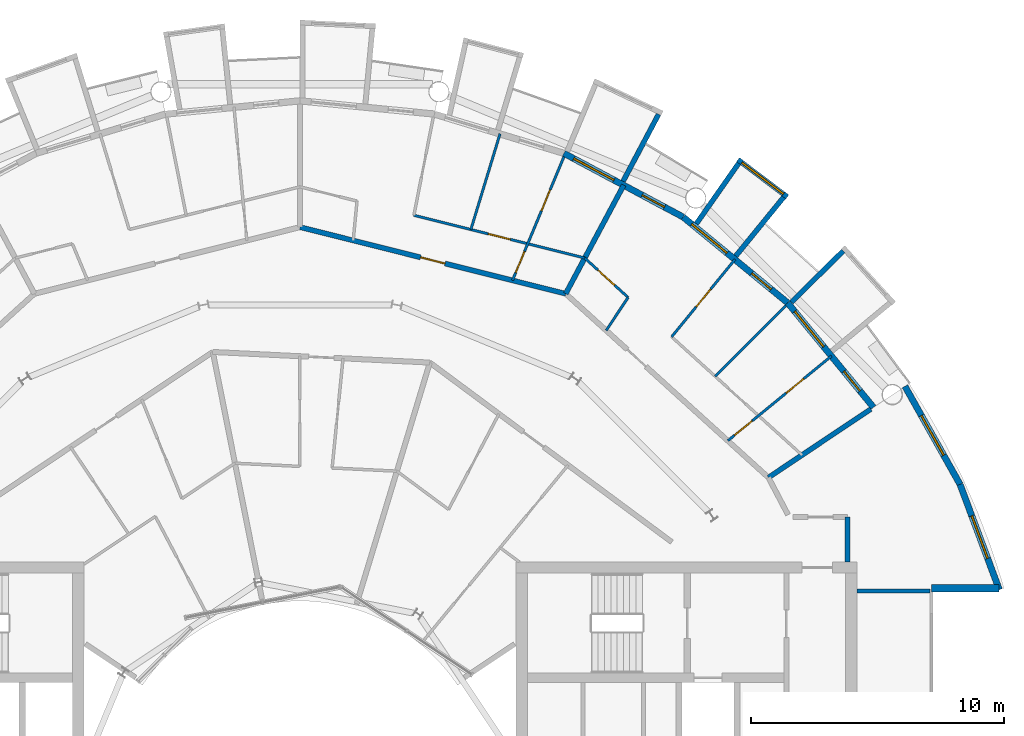
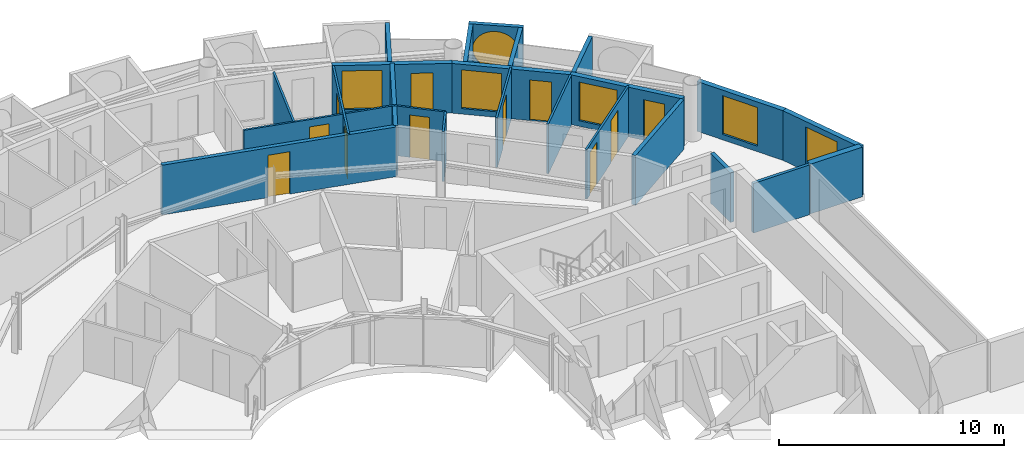
# One storey, part 24 of 29: 24 walls, 11 doors, 6 windows, 17 openings.
"""IFC4 building model written with IfcOpenShell, lengths in metres."""

import ifcopenshell
import ifcopenshell.guid

model = None  # the IFC model being written
_history = None  # IfcOwnerHistory: only IFC2X3 demands one
_inside = {}  # id of a spatial element -> (the spatial element, [elements in it])
_under = {}  # id of a project, library or spatial element -> (it, [spatial elements below it])
_declared = {}  # id of a project -> (the project, [libraries it declares])
_typed = {}  # id of a type object -> (the type object, [elements of that type])
_made_of = {}  # id of a material, layer set ... -> (it, [elements and type objects made of it])


def new_model(schema):
    """Start an empty IFC model of exactly this schema.

    Asked for "IFC4X3", IfcOpenShell would pick the latest addendum, in which some entities
    have other attributes; the version numbers below select the first issue.
    IFC2X3 requires an IfcOwnerHistory on every rooted entity: one is made here for all.
    """
    global model, _history
    if schema == "IFC4X3":
        model = ifcopenshell.file(schema_version=(4, 3, 0, 0))
    else:
        model = ifcopenshell.file(schema=schema)
    _inside.clear()
    _under.clear()
    _declared.clear()
    _typed.clear()
    _made_of.clear()
    _history = None
    if model.schema == "IFC2X3":
        org = make("IfcOrganization", Name="unknown")
        user = make(
            "IfcPersonAndOrganization",
            ThePerson=make("IfcPerson", FamilyName="unknown"),
            TheOrganization=org,
        )
        app = make(
            "IfcApplication",
            ApplicationDeveloper=org,
            Version="unknown",
            ApplicationFullName="unknown",
            ApplicationIdentifier="unknown",
        )
        _history = make(
            "IfcOwnerHistory",
            OwningUser=user,
            OwningApplication=app,
            ChangeAction="ADDED",
            CreationDate=0,
        )
    return model


def make(cls, **values):
    """One entity of the class cls with the attributes given. An attribute that is None is left unset."""
    return model.create_entity(
        cls, **{name: value for name, value in values.items() if value is not None}
    )


def rooted(cls, **values):
    """An entity with a GlobalId (a new one), such as an element, a storey or a relation."""
    return make(cls, GlobalId=ifcopenshell.guid.new(), OwnerHistory=_history, **values)


def si_unit(unit_type, name, prefix=None):
    """IfcSIUnit, for example si_unit("LENGTHUNIT", "METRE", prefix="MILLI")."""
    return make("IfcSIUnit", UnitType=unit_type, Prefix=prefix, Name=name)


def assignment(units):
    """IfcUnitAssignment: the units of a project."""
    return None if units is None else make("IfcUnitAssignment", Units=units)


def point(xyz):
    """IfcCartesianPoint."""
    return None if xyz is None else make("IfcCartesianPoint", Coordinates=xyz)


def direction(xyz):
    """IfcDirection."""
    return None if xyz is None else make("IfcDirection", DirectionRatios=xyz)


def frame(location, z_axis=None, x_axis=None):
    """IfcAxis2Placement3D, a coordinate frame: its origin and axes. An axis left out is left unset."""
    return make(
        "IfcAxis2Placement3D",
        Location=point(location),
        Axis=direction(z_axis),
        RefDirection=direction(x_axis),
    )


def frame_2d(location, x_axis=None):
    """IfcAxis2Placement2D, a coordinate frame in the plane: its origin and x axis."""
    return make(
        "IfcAxis2Placement2D", Location=point(location), RefDirection=direction(x_axis)
    )


def origin():
    """The frame at (0, 0, 0) with its axes left unset."""
    return frame((0.0, 0.0, 0.0))


def place(relative_to, where):
    """IfcLocalPlacement: puts the frame where relative to a parent placement (None: the world)."""
    return make(
        "IfcLocalPlacement", PlacementRelTo=relative_to, RelativePlacement=where
    )


def context(
    kind, dimensions, precision=None, world=None, true_north=None, identifier=None
):
    """IfcGeometricRepresentationContext, for example the 3D "Model" context."""
    return make(
        "IfcGeometricRepresentationContext",
        ContextIdentifier=identifier,
        ContextType=kind,
        CoordinateSpaceDimension=dimensions,
        Precision=precision,
        WorldCoordinateSystem=world,
        TrueNorth=true_north,
    )


def subcontext(parent, identifier, kind, view, scale=None):
    """IfcGeometricRepresentationSubContext, for example "Body" below "Model"."""
    return make(
        "IfcGeometricRepresentationSubContext",
        ContextIdentifier=identifier,
        ContextType=kind,
        ParentContext=parent,
        TargetScale=scale,
        TargetView=view,
    )


def project(units=None, contexts=None):
    """IfcProject with its units and contexts."""
    return rooted(
        "IfcProject",
        Name="project",
        RepresentationContexts=contexts,
        UnitsInContext=assignment(units),
    )


def spatial(cls, under=None, at=None, **own):
    """A site, building, storey or space (cls), placed at a placement, below another one or the project."""
    s = rooted(cls, ObjectPlacement=at, **own)
    if under is not None:
        _under.setdefault(under.id(), (under, []))[1].append(s)
    return s


def profile(cls, at=None, kind="AREA", **sizes):
    """A parametric profile (cls). Its sizes go by their IFC names, for example OverallWidth=200.0."""
    return make(cls, ProfileType=kind, Position=at, **sizes)


def rectangle(**sizes):
    """IfcRectangleProfileDef."""
    return profile("IfcRectangleProfileDef", **sizes)


def circle(**sizes):
    """IfcCircleProfileDef."""
    return profile("IfcCircleProfileDef", **sizes)


def extrude(swept, where, along, depth):
    """IfcExtrudedAreaSolid: the profile swept, set in the frame where, extruded along a direction by depth."""
    return make(
        "IfcExtrudedAreaSolid",
        SweptArea=swept,
        Position=where,
        ExtrudedDirection=direction(along),
        Depth=depth,
    )


def shape(context_of_items, identifier, shape_type, items):
    """IfcShapeRepresentation: the items that make up one representation, for example the "Body"."""
    return make(
        "IfcShapeRepresentation",
        ContextOfItems=context_of_items,
        RepresentationIdentifier=identifier,
        RepresentationType=shape_type,
        Items=items,
    )


def material(Name=None, Category=None):
    """IfcMaterial."""
    return make("IfcMaterial", Name=Name, Category=Category)


def layer(
    of_material, thickness, ventilated=None, Name=None, Category=None, Priority=None
):
    """IfcMaterialLayer: one layer of a wall or slab, of a material (None: an air gap)."""
    return make(
        "IfcMaterialLayer",
        Material=of_material,
        LayerThickness=thickness,
        IsVentilated=ventilated,
        Name=Name,
        Category=Category,
        Priority=Priority,
    )


def layer_set(layers, Name=None):
    """IfcMaterialLayerSet."""
    return make("IfcMaterialLayerSet", MaterialLayers=layers, LayerSetName=Name)


def made_of(thing, what):
    """Note that an element or type object is made of a material, layer set ...; save() writes the relation."""
    if what is not None:
        _made_of.setdefault(what.id(), (what, []))[1].append(thing)
    return thing


def type_object(cls, material=None, **own):
    """A type object (cls), such as IfcWallType, which elements share."""
    return made_of(rooted(cls, **own), material)


def element(
    cls,
    number,
    at=None,
    inside=None,
    cuts=None,
    type_object=None,
    material=None,
    context=None,
    identifier="Body",
    shape_type=None,
    held_by="IfcProductDefinitionShape",
    body=None,
    shapes=None,
    **own,
):
    """One element of the class cls, such as IfcWall. Its Tag is "e" and its number.

    at: its placement. inside: the storey or other place that contains it. cuts: it is an
    opening in that element (IfcRelVoidsElement). A single representation is given by context,
    identifier, shape_type and body (its items); several are given by shapes. held_by: the class
    of the entity that holds the representations. save() writes the other relations.
    """
    e = rooted(cls, Tag="e%d" % number, ObjectPlacement=at, **own)
    if body is not None:
        shapes = [shape(context, identifier, shape_type, body)]
    if shapes is not None:
        e.Representation = make(held_by, Representations=shapes)
    if inside is not None:
        _inside.setdefault(inside.id(), (inside, []))[1].append(e)
    if cuts is not None:
        rooted(
            "IfcRelVoidsElement", RelatingBuildingElement=cuts, RelatedOpeningElement=e
        )
    if type_object is not None:
        _typed.setdefault(type_object.id(), (type_object, []))[1].append(e)
    return made_of(e, material)


def fill(opening, filler):
    """IfcRelFillsElement: the door or window that sits in an opening."""
    return rooted(
        "IfcRelFillsElement",
        RelatingOpeningElement=opening,
        RelatedBuildingElement=filler,
    )


def aggregate(whole, parts):
    """IfcRelAggregates: a whole, such as a stair, and the parts it consists of."""
    return rooted("IfcRelAggregates", RelatingObject=whole, RelatedObjects=parts)


def save(model, path):
    """Write the relations noted so far, then the file.

    IfcRelAggregates (storeys below a building ...), IfcRelContainedInSpatialStructure (elements
    in a storey), IfcRelDefinesByType, IfcRelAssociatesMaterial and IfcRelDeclares: one each for
    every whole, place, type object, material and project.
    """
    for whole, parts in _under.values():
        aggregate(whole, parts)
    for where, things in _inside.values():
        rooted(
            "IfcRelContainedInSpatialStructure",
            RelatedElements=things,
            RelatingStructure=where,
        )
    for kind, things in _typed.values():
        rooted("IfcRelDefinesByType", RelatedObjects=things, RelatingType=kind)
    for what, things in _made_of.values():
        rooted("IfcRelAssociatesMaterial", RelatedObjects=things, RelatingMaterial=what)
    for by, libraries in _declared.values():
        rooted("IfcRelDeclares", RelatingContext=by, RelatedDefinitions=libraries)
    model.write(path)


model = new_model("IFC4")

# Units and contexts
model_context = context("Model", 3, precision=1e-05, world=origin(), true_north=direction((0.0, 1.0)))
body_context = subcontext(model_context, "Body", "Model", "MODEL_VIEW")
ifc_project = project(units=[si_unit("LENGTHUNIT", "METRE"), si_unit("AREAUNIT", "SQUARE_METRE"), si_unit("VOLUMEUNIT", "CUBIC_METRE"), si_unit("PLANEANGLEUNIT", "RADIAN"), si_unit("MASSUNIT", "GRAM", prefix="KILO")], contexts=[model_context])

# Site, building, storey
site_placement = place(None, origin())
site = spatial("IfcSite", under=ifc_project, at=site_placement, CompositionType="ELEMENT")
building_placement = place(site_placement, origin())
building = spatial("IfcBuilding", under=site, at=building_placement, Name="Maasbend Ring Residences", CompositionType="ELEMENT")
storey_placement = place(building_placement, frame((0.0, 0.0, 190.199951171875)))
storey = spatial("IfcBuildingStorey", under=building, at=storey_placement, Name="L54", CompositionType="ELEMENT", Elevation=190.199951171875)

# Wall
ifc_material_1 = material(Name="Concrete C30/37", Category="concrete")
ifc_layer_1 = layer(ifc_material_1, 0.199951171875)
ifc_layer_set_1 = layer_set([ifc_layer_1], Name="Concrete C30/37")
wall_type_1 = type_object("IfcWallType", Name="CORRIDOR WALL 200 CONCRETE", PredefinedType="PARTITIONING", material=ifc_layer_set_1)
wall_1_placement = place(storey_placement, frame((21.675048828125, 9.050048828125, 0.0), z_axis=(0.0, 0.0, 1.0), x_axis=(0.0, 1.0, 0.0)))
element("IfcWall", 1, at=wall_1_placement, inside=storey, type_object=wall_type_1, Name="U-L54-w012", PredefinedType="PARTITIONING", context=body_context, shape_type="SweptSolid", body=[
    extrude(rectangle(XDim=1.77490234375, YDim=0.199951171875, at=frame_2d((0.887451171875, 0.0))), origin(), (0.0, 0.0, 1.0), 2.699951171875),
])

# Wall, opening, door
wall_2_placement = place(storey_placement, frame((0.0, 22.300048828125, 0.0), z_axis=(0.0, 0.0, 1.0), x_axis=(0.969975443945, -0.243202874456, 0.0)))
wall_2 = element("IfcWall", 2, at=wall_2_placement, inside=storey, type_object=wall_type_1, Name="U-L54-w106", PredefinedType="PARTITIONING", context=body_context, shape_type="SweptSolid", body=[
    extrude(rectangle(XDim=10.8466796875, YDim=0.199951171875, at=frame_2d((5.42333984375, 0.0))), origin(), (0.0, 0.0, 1.0), 2.699951171875),
])
opening_1_placement = place(wall_2_placement, frame((4.91796875, 0.0, 0.0)))
opening_1 = element("IfcOpeningElement", 3, at=opening_1_placement, cuts=wall_2, Name="Opening D-5407", PredefinedType="OPENING", context=body_context, shape_type="SweptSolid", body=[
    extrude(rectangle(XDim=1.0, YDim=2.300048828125, at=frame_2d((0.5, 1.14990234375))), frame((0.0, 0.10986328125, 0.0), z_axis=(0.0, -1.0, 0.0), x_axis=(1.0, 0.0, 0.0)), (0.0, 0.0, 1.0), 0.219970703125),
])
ifc_material_2 = material(Name="Timber, fire-rated, painted", Category="wood")
door_type_1 = type_object("IfcDoorType", Name="FLAT ENTRANCE DOOR 1000 X 2300 FIRE-RATED", OperationType="NOTDEFINED", PredefinedType="DOOR", material=ifc_material_2)
door_1_placement = place(opening_1_placement, origin())
door_1 = element("IfcDoor", 4, at=door_1_placement, inside=storey, type_object=door_type_1, Name="D-5407", OperationType="SINGLE_SWING_LEFT", OverallHeight=2.300048828125, OverallWidth=1.0, PredefinedType="DOOR", context=body_context, shape_type="SweptSolid", body=[
    extrude(rectangle(XDim=1.0, YDim=2.300048828125, at=frame_2d((0.5, 1.14990234375))), frame((0.0, 0.02490234375, 0.0), z_axis=(0.0, -1.0, 0.0), x_axis=(1.0, 0.0, 0.0)), (0.0, 0.0, 1.0), 0.050048828125),
])
fill(opening_1, door_1)

# Wall
ifc_material_3 = material(Name="Pale anodised aluminium panel", Category="aluminium")
ifc_layer_2 = layer(ifc_material_3, 0.199951171875)
ifc_layer_set_2 = layer_set([ifc_layer_2], Name="EW-BOX")
wall_type_2 = type_object("IfcWallType", Name="EW-BOX", PredefinedType="SOLIDWALL", material=ifc_layer_set_2)
wall_3_placement = place(storey_placement, frame((19.449951171875, 19.322998046875, -0.030029296875), z_axis=(0.0, 0.0, 1.0), x_axis=(0.709727076896, 0.704476739375, 0.0)))
element("IfcWall", 5, at=wall_3_placement, inside=storey, type_object=wall_type_2, Name="Box side wall N02 right", PredefinedType="SOLIDWALL", context=body_context, shape_type="SweptSolid", body=[
    extrude(rectangle(XDim=2.883056640625, YDim=0.199951171875, at=frame_2d((1.44140625, 0.0))), origin(), (0.0, 0.0, 1.0), 2.72998046875),
])

# Wall, opening, window
wall_4_placement = place(storey_placement, frame((19.2890625, 23.4970703125, -0.030029296875), z_axis=(0.0, 0.0, 1.0), x_axis=(-0.797887588059, 0.602806268067, 0.0)))
wall_4 = element("IfcWall", 6, at=wall_4_placement, inside=storey, type_object=wall_type_2, Name="Box front N04", PredefinedType="SOLIDWALL", context=body_context, shape_type="SweptSolid", body=[
    extrude(rectangle(XDim=2.446533203125, YDim=0.199951171875, at=frame_2d((1.22314453125, 0.0))), origin(), (0.0, 0.0, 1.0), 2.72998046875),
])
opening_2_placement = place(wall_4_placement, frame((0.182861328125, 0.0, 0.330078125)))
opening_2 = element("IfcOpeningElement", 7, at=opening_2_placement, cuts=wall_4, Name="Opening W-RD", PredefinedType="OPENING", context=body_context, shape_type="SweptSolid", body=[
    extrude(circle(Radius=1.0400390625, at=frame_2d((1.0400390625, 1.0400390625))), frame((0.0, 0.10986328125, 0.0), z_axis=(0.0, -1.0, 0.0), x_axis=(1.0, 0.0, 0.0)), (0.0, 0.0, 1.0), 0.219970703125),
])
ifc_material_4 = material(Name="Aluminium and clear glass", Category="aluminium")
window_type_1 = type_object("IfcWindowType", Name="W-RD", PartitioningType="SINGLE_PANEL", PredefinedType="WINDOW", material=ifc_material_4)
window_1_placement = place(opening_2_placement, origin())
window_1 = element("IfcWindow", 8, at=window_1_placement, inside=storey, type_object=window_type_1, Name="Round window N04", OverallHeight=2.080078125, OverallWidth=2.080078125, PartitioningType="SINGLE_PANEL", PredefinedType="WINDOW", context=body_context, shape_type="SweptSolid", body=[
    extrude(circle(Radius=1.0400390625, at=frame_2d((1.0400390625, 1.0400390625))), frame((0.0, 0.030029296875, 0.0), z_axis=(0.0, -1.0, 0.0), x_axis=(1.0, 0.0, 0.0)), (0.0, 0.0, 1.0), 0.06005859375),
])
fill(opening_2, window_1)

# Walls
wall_5_placement = place(storey_placement, frame((17.24609375, 21.155029296875, -0.030029296875), z_axis=(0.0, 0.0, 1.0), x_axis=(0.631741648902, 0.775179004516, 0.0)))
element("IfcWall", 9, at=wall_5_placement, inside=storey, type_object=wall_type_2, Name="Box side wall N04 left", PredefinedType="SOLIDWALL", context=body_context, shape_type="SweptSolid", body=[
    extrude(rectangle(XDim=3.005859375, YDim=0.199951171875, at=frame_2d((1.5029296875, 0.0))), origin(), (0.0, 0.0, 1.0), 2.72998046875),
])
wall_6_placement = place(storey_placement, frame((15.68798828125, 22.43310546875, -0.030029296875), z_axis=(0.0, 0.0, 1.0), x_axis=(0.573260687834, 0.819373043115, 0.0)))
element("IfcWall", 10, at=wall_6_placement, inside=storey, type_object=wall_type_2, Name="Box side wall N04 right", PredefinedType="SOLIDWALL", context=body_context, shape_type="SweptSolid", body=[
    extrude(rectangle(XDim=2.92529296875, YDim=0.199951171875, at=frame_2d((1.462646484375, 0.0))), origin(), (0.0, 0.0, 1.0), 2.72998046875),
])
wall_7_placement = place(storey_placement, frame((12.787109375, 24.113037109375, -0.030029296875), z_axis=(0.0, 0.0, 1.0), x_axis=(0.468365282436, 0.883534924159, 0.0)))
element("IfcWall", 11, at=wall_7_placement, inside=storey, type_object=wall_type_2, Name="Box side wall N06 left", PredefinedType="SOLIDWALL", context=body_context, shape_type="SweptSolid", body=[
    extrude(rectangle(XDim=3.006103515625, YDim=0.199951171875, at=frame_2d((1.5029296875, 0.0))), origin(), (0.0, 0.0, 1.0), 2.72998046875),
])

# Wall, openings, door, window
ifc_material_5 = material(Name="Aluminium clad insulated panel", Category="aluminium")
ifc_layer_3 = layer(ifc_material_5, 0.25)
ifc_layer_set_3 = layer_set([ifc_layer_3], Name="EW-GL")
wall_type_3 = type_object("IfcWallType", Name="EW-GL", PredefinedType="SOLIDWALL", material=ifc_layer_set_3)
wall_8_placement = place(storey_placement, frame((22.698974609375, 15.1669921875, 0.0), z_axis=(0.0, 0.0, 1.0), x_axis=(-0.634382322723, 0.773019449054, 0.0)))
wall_8 = element("IfcWall", 12, at=wall_8_placement, inside=storey, type_object=wall_type_3, Name="External wall N01", PredefinedType="SOLIDWALL", context=body_context, shape_type="SweptSolid", body=[
    extrude(rectangle(XDim=5.351806640625, YDim=0.25, at=frame_2d((2.67578125, 0.0))), origin(), (0.0, 0.0, 1.0), 2.699951171875),
])
opening_3_placement = place(wall_8_placement, frame((0.841064453125, 0.0, 0.0)))
opening_3 = element("IfcOpeningElement", 13, at=opening_3_placement, cuts=wall_8, Name="Opening D-LG", PredefinedType="OPENING", context=body_context, shape_type="SweptSolid", body=[
    extrude(rectangle(XDim=1.0, YDim=2.199951171875, at=frame_2d((0.5, 1.10009765625))), frame((0.0, 0.135009765625, 0.0), z_axis=(0.0, -1.0, 0.0), x_axis=(1.0, 0.0, 0.0)), (0.0, 0.0, 1.0), 0.27001953125),
])
opening_4_placement = place(wall_8_placement, frame((3.110595703125, 0.0, 0.300048828125)))
opening_4 = element("IfcOpeningElement", 14, at=opening_4_placement, cuts=wall_8, Name="Opening W-BX", PredefinedType="OPENING", context=body_context, shape_type="SweptSolid", body=[
    extrude(rectangle(XDim=1.800048828125, YDim=2.10009765625, at=frame_2d((0.89990234375, 1.050048828125))), frame((0.0, 0.135009765625, 0.0), z_axis=(0.0, -1.0, 0.0), x_axis=(1.0, 0.0, 0.0)), (0.0, 0.0, 1.0), 0.27001953125),
])
ifc_material_6 = material(Name="Aluminium and clear glass", Category="aluminium")
door_type_2 = type_object("IfcDoorType", Name="D-LG", OperationType="SINGLE_SWING_LEFT", PredefinedType="DOOR", material=ifc_material_6)
door_2_placement = place(opening_3_placement, origin())
door_2 = element("IfcDoor", 15, at=door_2_placement, inside=storey, type_object=door_type_2, Name="Loggia door N01", OperationType="SINGLE_SWING_LEFT", OverallHeight=2.199951171875, OverallWidth=1.0, PredefinedType="DOOR", context=body_context, shape_type="SweptSolid", body=[
    extrude(rectangle(XDim=1.0, YDim=2.199951171875, at=frame_2d((0.5, 1.10009765625))), frame((0.0, 0.02490234375, 0.0), z_axis=(0.0, -1.0, 0.0), x_axis=(1.0, 0.0, 0.0)), (0.0, 0.0, 1.0), 0.050048828125),
])
fill(opening_3, door_2)
ifc_material_7 = material(Name="Aluminium and clear glass", Category="aluminium")
window_type_2 = type_object("IfcWindowType", Name="W-BX", PartitioningType="DOUBLE_PANEL_VERTICAL", PredefinedType="WINDOW", material=ifc_material_7)
window_2_placement = place(opening_4_placement, origin())
window_2 = element("IfcWindow", 16, at=window_2_placement, inside=storey, type_object=window_type_2, Name="Window N02 room to box", OverallHeight=2.10009765625, OverallWidth=1.800048828125, PartitioningType="SINGLE_PANEL", PredefinedType="WINDOW", context=body_context, shape_type="SweptSolid", body=[
    extrude(rectangle(XDim=1.800048828125, YDim=2.10009765625, at=frame_2d((0.89990234375, 1.050048828125))), frame((0.0, 0.030029296875, 0.0), z_axis=(0.0, -1.0, 0.0), x_axis=(1.0, 0.0, 0.0)), (0.0, 0.0, 1.0), 0.06005859375),
])
fill(opening_4, window_2)

wall_9_placement = place(storey_placement, frame((19.303955078125, 19.303955078125, 0.0), z_axis=(0.0, 0.0, 1.0), x_axis=(-0.773019449054, 0.634382322723, 0.0)))
wall_9 = element("IfcWall", 17, at=wall_9_placement, inside=storey, type_object=wall_type_3, Name="External wall N02", PredefinedType="SOLIDWALL", context=body_context, shape_type="SweptSolid", body=[
    extrude(rectangle(XDim=5.351806640625, YDim=0.25, at=frame_2d((2.67578125, 0.0))), origin(), (0.0, 0.0, 1.0), 2.699951171875),
])
opening_5_placement = place(wall_9_placement, frame((0.841064453125, 0.0, 0.0)))
opening_5 = element("IfcOpeningElement", 18, at=opening_5_placement, cuts=wall_9, Name="Opening D-LG", PredefinedType="OPENING", context=body_context, shape_type="SweptSolid", body=[
    extrude(rectangle(XDim=1.0, YDim=2.199951171875, at=frame_2d((0.5, 1.10009765625))), frame((0.0, 0.135009765625, 0.0), z_axis=(0.0, -1.0, 0.0), x_axis=(1.0, 0.0, 0.0)), (0.0, 0.0, 1.0), 0.27001953125),
])
opening_6_placement = place(wall_9_placement, frame((3.110595703125, 0.0, 0.300048828125)))
opening_6 = element("IfcOpeningElement", 19, at=opening_6_placement, cuts=wall_9, Name="Opening W-BX", PredefinedType="OPENING", context=body_context, shape_type="SweptSolid", body=[
    extrude(rectangle(XDim=1.800048828125, YDim=2.10009765625, at=frame_2d((0.89990234375, 1.050048828125))), frame((0.0, 0.135009765625, 0.0), z_axis=(0.0, -1.0, 0.0), x_axis=(1.0, 0.0, 0.0)), (0.0, 0.0, 1.0), 0.27001953125),
])
door_3_placement = place(opening_5_placement, origin())
door_3 = element("IfcDoor", 20, at=door_3_placement, inside=storey, type_object=door_type_2, Name="Loggia door N03", OperationType="SINGLE_SWING_LEFT", OverallHeight=2.199951171875, OverallWidth=1.0, PredefinedType="DOOR", context=body_context, shape_type="SweptSolid", body=[
    extrude(rectangle(XDim=1.0, YDim=2.199951171875, at=frame_2d((0.5, 1.10009765625))), frame((0.0, 0.02490234375, 0.0), z_axis=(0.0, -1.0, 0.0), x_axis=(1.0, 0.0, 0.0)), (0.0, 0.0, 1.0), 0.050048828125),
])
fill(opening_5, door_3)
window_3_placement = place(opening_6_placement, origin())
window_3 = element("IfcWindow", 21, at=window_3_placement, inside=storey, type_object=window_type_2, Name="Window N04 room to box", OverallHeight=2.10009765625, OverallWidth=1.800048828125, PartitioningType="SINGLE_PANEL", PredefinedType="WINDOW", context=body_context, shape_type="SweptSolid", body=[
    extrude(rectangle(XDim=1.800048828125, YDim=2.10009765625, at=frame_2d((0.89990234375, 1.050048828125))), frame((0.0, 0.030029296875, 0.0), z_axis=(0.0, -1.0, 0.0), x_axis=(1.0, 0.0, 0.0)), (0.0, 0.0, 1.0), 0.06005859375),
])
fill(opening_6, window_3)

wall_10_placement = place(storey_placement, frame((15.1669921875, 22.698974609375, 0.0), z_axis=(0.0, 0.0, 1.0), x_axis=(-0.881915646801, 0.471407246368, 0.0)))
wall_10 = element("IfcWall", 22, at=wall_10_placement, inside=storey, type_object=wall_type_3, Name="External wall N03", PredefinedType="SOLIDWALL", context=body_context, shape_type="SweptSolid", body=[
    extrude(rectangle(XDim=5.35205078125, YDim=0.25, at=frame_2d((2.676025390625, 0.0))), origin(), (0.0, 0.0, 1.0), 2.699951171875),
])
opening_7_placement = place(wall_10_placement, frame((0.841064453125, 0.0, 0.0)))
opening_7 = element("IfcOpeningElement", 23, at=opening_7_placement, cuts=wall_10, Name="Opening D-LG", PredefinedType="OPENING", context=body_context, shape_type="SweptSolid", body=[
    extrude(rectangle(XDim=1.0, YDim=2.199951171875, at=frame_2d((0.5, 1.10009765625))), frame((0.0, 0.135009765625, 0.0), z_axis=(0.0, -1.0, 0.0), x_axis=(1.0, 0.0, 0.0)), (0.0, 0.0, 1.0), 0.27001953125),
])
opening_8_placement = place(wall_10_placement, frame((3.110595703125, 0.0, 0.300048828125)))
opening_8 = element("IfcOpeningElement", 24, at=opening_8_placement, cuts=wall_10, Name="Opening W-BX", PredefinedType="OPENING", context=body_context, shape_type="SweptSolid", body=[
    extrude(rectangle(XDim=1.800048828125, YDim=2.10009765625, at=frame_2d((0.89990234375, 1.050048828125))), frame((0.0, 0.135009765625, 0.0), z_axis=(0.0, -1.0, 0.0), x_axis=(1.0, 0.0, 0.0)), (0.0, 0.0, 1.0), 0.27001953125),
])
door_4_placement = place(opening_7_placement, origin())
door_4 = element("IfcDoor", 25, at=door_4_placement, inside=storey, type_object=door_type_2, Name="Loggia door N05", OperationType="SINGLE_SWING_LEFT", OverallHeight=2.199951171875, OverallWidth=1.0, PredefinedType="DOOR", context=body_context, shape_type="SweptSolid", body=[
    extrude(rectangle(XDim=1.0, YDim=2.199951171875, at=frame_2d((0.5, 1.10009765625))), frame((0.0, 0.02490234375, 0.0), z_axis=(0.0, -1.0, 0.0), x_axis=(1.0, 0.0, 0.0)), (0.0, 0.0, 1.0), 0.050048828125),
])
fill(opening_7, door_4)
window_4_placement = place(opening_8_placement, origin())
window_4 = element("IfcWindow", 26, at=window_4_placement, inside=storey, type_object=window_type_2, Name="Window N06 room to box", OverallHeight=2.10009765625, OverallWidth=1.800048828125, PartitioningType="SINGLE_PANEL", PredefinedType="WINDOW", context=body_context, shape_type="SweptSolid", body=[
    extrude(rectangle(XDim=1.800048828125, YDim=2.10009765625, at=frame_2d((0.89990234375, 1.050048828125))), frame((0.0, 0.030029296875, 0.0), z_axis=(0.0, -1.0, 0.0), x_axis=(1.0, 0.0, 0.0)), (0.0, 0.0, 1.0), 0.06005859375),
])
fill(opening_8, window_4)

# Wall, opening, window
ifc_material_8 = material(Name="Aluminium clad insulated panel", Category="aluminium")
ifc_layer_4 = layer(ifc_material_8, 0.25)
ifc_layer_set_4 = layer_set([ifc_layer_4], Name="EW-HORN")
wall_type_4 = type_object("IfcWallType", Name="EW-HORN", PredefinedType="SOLIDWALL", material=ifc_layer_set_4)
wall_11_placement = place(storey_placement, frame((27.681884765625, 7.945068359375, 0.0), z_axis=(0.0, 0.0, 1.0), x_axis=(-0.349247811493, 0.937030397675, 0.0)))
wall_11 = element("IfcWall", 27, at=wall_11_placement, inside=storey, type_object=wall_type_4, Name="Horn wall 1.1", PredefinedType="SOLIDWALL", context=body_context, shape_type="SweptSolid", body=[
    extrude(rectangle(XDim=4.4521484375, YDim=0.25, at=frame_2d((2.22607421875, 0.0))), origin(), (0.0, 0.0, 1.0), 2.699951171875),
])
opening_9_placement = place(wall_11_placement, frame((1.32666015625, 0.0, 0.300048828125)))
opening_9 = element("IfcOpeningElement", 28, at=opening_9_placement, cuts=wall_11, Name="Opening W-BX", PredefinedType="OPENING", context=body_context, shape_type="SweptSolid", body=[
    extrude(rectangle(XDim=1.800048828125, YDim=2.10009765625, at=frame_2d((0.89990234375, 1.050048828125))), frame((0.0, 0.135009765625, 0.0), z_axis=(0.0, -1.0, 0.0), x_axis=(1.0, 0.0, 0.0)), (0.0, 0.0, 1.0), 0.27001953125),
])
window_5_placement = place(opening_9_placement, origin())
window_5 = element("IfcWindow", 29, at=window_5_placement, inside=storey, type_object=window_type_2, Name="Horn window 1.1", OverallHeight=2.10009765625, OverallWidth=1.800048828125, PartitioningType="SINGLE_PANEL", PredefinedType="WINDOW", context=body_context, shape_type="SweptSolid", body=[
    extrude(rectangle(XDim=1.800048828125, YDim=2.10009765625, at=frame_2d((0.89990234375, 1.050048828125))), frame((0.0, 0.030029296875, 0.0), z_axis=(0.0, -1.0, 0.0), x_axis=(1.0, 0.0, 0.0)), (0.0, 0.0, 1.0), 0.06005859375),
])
fill(opening_9, window_5)

wall_12_placement = place(storey_placement, frame((26.126953125, 12.116943359375, 0.0), z_axis=(0.0, 0.0, 1.0), x_axis=(-0.489696356642, 0.871893042919, 0.0)))
wall_12 = element("IfcWall", 30, at=wall_12_placement, inside=storey, type_object=wall_type_4, Name="Horn wall 1.2", PredefinedType="SOLIDWALL", context=body_context, shape_type="SweptSolid", body=[
    extrude(rectangle(XDim=4.45361328125, YDim=0.25, at=frame_2d((2.226806640625, 0.0))), origin(), (0.0, 0.0, 1.0), 2.699951171875),
])
opening_10_placement = place(wall_12_placement, frame((1.32666015625, 0.0, 0.300048828125)))
opening_10 = element("IfcOpeningElement", 31, at=opening_10_placement, cuts=wall_12, Name="Opening W-BX", PredefinedType="OPENING", context=body_context, shape_type="SweptSolid", body=[
    extrude(rectangle(XDim=1.800048828125, YDim=2.10009765625, at=frame_2d((0.89990234375, 1.050048828125))), frame((0.0, 0.135009765625, 0.0), z_axis=(0.0, -1.0, 0.0), x_axis=(1.0, 0.0, 0.0)), (0.0, 0.0, 1.0), 0.27001953125),
])
window_6_placement = place(opening_10_placement, origin())
window_6 = element("IfcWindow", 32, at=window_6_placement, inside=storey, type_object=window_type_2, Name="Horn window 1.2", OverallHeight=2.10009765625, OverallWidth=1.800048828125, PartitioningType="SINGLE_PANEL", PredefinedType="WINDOW", context=body_context, shape_type="SweptSolid", body=[
    extrude(rectangle(XDim=1.800048828125, YDim=2.10009765625, at=frame_2d((0.89990234375, 1.050048828125))), frame((0.0, 0.030029296875, 0.0), z_axis=(0.0, -1.0, 0.0), x_axis=(1.0, 0.0, 0.0)), (0.0, 0.0, 1.0), 0.06005859375),
])
fill(opening_10, window_6)

# Wall
ifc_material_9 = material(Name="Aluminium clad insulated panel", Category="aluminium")
ifc_layer_5 = layer(ifc_material_9, 0.300048828125)
ifc_layer_set_5 = layer_set([ifc_layer_5], Name="EW-RET")
wall_type_5 = type_object("IfcWallType", Name="EW-RET", PredefinedType="SOLIDWALL", material=ifc_layer_set_5)
wall_13_placement = place(storey_placement, frame((25.0, 8.0, 0.0), z_axis=(0.0, 0.0, 1.0), x_axis=(1.0, 0.0, 0.0)))
element("IfcWall", 33, at=wall_13_placement, inside=storey, type_object=wall_type_5, Name="Notch return wall east north", PredefinedType="SOLIDWALL", context=body_context, shape_type="SweptSolid", body=[
    extrude(rectangle(XDim=2.6669921875, YDim=0.300048828125, at=frame_2d((1.33349609375, 0.0))), origin(), (0.0, 0.0, 1.0), 2.699951171875),
])

# Wall, openings, doors
ifc_material_10 = material(Name="Gypsum board on steel studs", Category="steel")
ifc_layer_6 = layer(ifc_material_10, 0.10009765625)
ifc_layer_set_6 = layer_set([ifc_layer_6], Name="PARTITION 100 GYPSUM")
wall_type_6 = type_object("IfcWallType", Name="PARTITION 100 GYPSUM", PredefinedType="PARTITIONING", material=ifc_layer_set_6)
wall_14_placement = place(storey_placement, frame((8.409912109375, 20.193115234375, 0.0), z_axis=(0.0, 0.0, 1.0), x_axis=(0.38420646001, 0.923247202046, 0.0)))
wall_14 = element("IfcWall", 34, at=wall_14_placement, inside=storey, type_object=wall_type_6, Name="U-L54-w031", PredefinedType="PARTITIONING", context=body_context, shape_type="SweptSolid", body=[
    extrude(rectangle(XDim=5.299560546875, YDim=0.10009765625, at=frame_2d((2.64990234375, 0.0))), origin(), (0.0, 0.0, 1.0), 2.699951171875),
])
opening_11_placement = place(wall_14_placement, frame((0.3349609375, 0.0, 0.0)))
opening_11 = element("IfcOpeningElement", 35, at=opening_11_placement, cuts=wall_14, Name="Opening D-5409", PredefinedType="OPENING", context=body_context, shape_type="SweptSolid", body=[
    extrude(rectangle(XDim=0.89990234375, YDim=2.300048828125, at=frame_2d((0.449951171875, 1.14990234375))), frame((0.0, 0.06005859375, 0.0), z_axis=(0.0, -1.0, 0.0), x_axis=(1.0, 0.0, 0.0)), (0.0, 0.0, 1.0), 0.1201171875),
])
opening_12_placement = place(wall_14_placement, frame((2.985107421875, 0.0, 0.0)))
opening_12 = element("IfcOpeningElement", 36, at=opening_12_placement, cuts=wall_14, Name="Opening D-5412", PredefinedType="OPENING", context=body_context, shape_type="SweptSolid", body=[
    extrude(rectangle(XDim=0.89990234375, YDim=2.300048828125, at=frame_2d((0.449951171875, 1.14990234375))), frame((0.0, 0.06005859375, 0.0), z_axis=(0.0, -1.0, 0.0), x_axis=(1.0, 0.0, 0.0)), (0.0, 0.0, 1.0), 0.1201171875),
])
ifc_material_11 = material(Name="Timber, painted", Category="wood")
door_type_3 = type_object("IfcDoorType", Name="INTERNAL DOOR 900 X 2300", OperationType="NOTDEFINED", PredefinedType="DOOR", material=ifc_material_11)
door_5_placement = place(opening_11_placement, origin())
door_5 = element("IfcDoor", 37, at=door_5_placement, inside=storey, type_object=door_type_3, Name="D-5409", OperationType="SINGLE_SWING_LEFT", OverallHeight=2.300048828125, OverallWidth=0.89990234375, PredefinedType="DOOR", context=body_context, shape_type="SweptSolid", body=[
    extrude(rectangle(XDim=0.89990234375, YDim=2.300048828125, at=frame_2d((0.449951171875, 1.14990234375))), frame((0.0, 0.02490234375, 0.0), z_axis=(0.0, -1.0, 0.0), x_axis=(1.0, 0.0, 0.0)), (0.0, 0.0, 1.0), 0.050048828125),
])
fill(opening_11, door_5)
door_6_placement = place(opening_12_placement, origin())
door_6 = element("IfcDoor", 38, at=door_6_placement, inside=storey, type_object=door_type_3, Name="D-5412", OperationType="SINGLE_SWING_RIGHT", OverallHeight=2.300048828125, OverallWidth=0.89990234375, PredefinedType="DOOR", context=body_context, shape_type="SweptSolid", body=[
    extrude(rectangle(XDim=0.89990234375, YDim=2.300048828125, at=frame_2d((0.449951171875, 1.14990234375))), frame((0.0, 0.02490234375, 0.0), z_axis=(0.0, -1.0, 0.0), x_axis=(1.0, 0.0, 0.0)), (0.0, 0.0, 1.0), 0.050048828125),
])
fill(opening_12, door_6)

# Walls
wall_15_placement = place(storey_placement, frame((6.762939453125, 22.2060546875, 0.0), z_axis=(0.0, 0.0, 1.0), x_axis=(0.291291575636, 0.956634317785, 0.0)))
element("IfcWall", 39, at=wall_15_placement, inside=storey, type_object=wall_type_6, Name="U-L54-w077", PredefinedType="PARTITIONING", context=body_context, shape_type="SweptSolid", body=[
    extrude(rectangle(XDim=3.9619140625, YDim=0.10009765625, at=frame_2d((1.98095703125, 0.0))), origin(), (0.0, 0.0, 1.0), 2.699951171875),
])
wall_16_placement = place(storey_placement, frame((12.117919921875, 18.2109375, 0.0), z_axis=(0.0, 0.0, 1.0), x_axis=(0.554125989098, 0.832432813028, 0.0)))
element("IfcWall", 40, at=wall_16_placement, inside=storey, type_object=wall_type_6, Name="U-L54-w082", PredefinedType="PARTITIONING", context=body_context, shape_type="SweptSolid", body=[
    extrude(rectangle(XDim=1.5703125, YDim=0.10009765625, at=frame_2d((0.78515625, 0.0))), origin(), (0.0, 0.0, 1.0), 2.699951171875),
])

# Wall, opening, door
wall_17_placement = place(storey_placement, frame((14.708984375, 17.9580078125, 0.0), z_axis=(0.0, 0.0, 1.0), x_axis=(0.633590098448, 0.773668913133, 0.0)))
wall_17 = element("IfcWall", 41, at=wall_17_placement, inside=storey, type_object=wall_type_6, Name="U-L54-w084", PredefinedType="PARTITIONING", context=body_context, shape_type="SweptSolid", body=[
    extrude(rectangle(XDim=3.961669921875, YDim=0.10009765625, at=frame_2d((1.98095703125, 0.0))), origin(), (0.0, 0.0, 1.0), 2.699951171875),
])
opening_13_placement = place(wall_17_placement, frame((1.531005859375, 0.0, 0.0)))
opening_13 = element("IfcOpeningElement", 42, at=opening_13_placement, cuts=wall_17, Name="Opening D-5404", PredefinedType="OPENING", context=body_context, shape_type="SweptSolid", body=[
    extrude(rectangle(XDim=0.89990234375, YDim=2.300048828125, at=frame_2d((0.449951171875, 1.14990234375))), frame((0.0, 0.06005859375, 0.0), z_axis=(0.0, -1.0, 0.0), x_axis=(1.0, 0.0, 0.0)), (0.0, 0.0, 1.0), 0.1201171875),
])
door_7_placement = place(opening_13_placement, origin())
door_7 = element("IfcDoor", 43, at=door_7_placement, inside=storey, type_object=door_type_3, Name="D-5404", OperationType="SINGLE_SWING_RIGHT", OverallHeight=2.300048828125, OverallWidth=0.89990234375, PredefinedType="DOOR", context=body_context, shape_type="SweptSolid", body=[
    extrude(rectangle(XDim=0.89990234375, YDim=2.300048828125, at=frame_2d((0.449951171875, 1.14990234375))), frame((0.0, 0.02490234375, 0.0), z_axis=(0.0, -1.0, 0.0), x_axis=(1.0, 0.0, 0.0)), (0.0, 0.0, 1.0), 0.050048828125),
])
fill(opening_13, door_7)

# Wall
wall_18_placement = place(storey_placement, frame((16.429931640625, 16.39794921875, 0.0), z_axis=(0.0, 0.0, 1.0), x_axis=(0.707722727509, 0.706490297858, 0.0)))
element("IfcWall", 44, at=wall_18_placement, inside=storey, type_object=wall_type_6, Name="U-L54-w086", PredefinedType="PARTITIONING", context=body_context, shape_type="SweptSolid", body=[
    extrude(rectangle(XDim=3.9619140625, YDim=0.10009765625, at=frame_2d((1.98095703125, 0.0))), origin(), (0.0, 0.0, 1.0), 2.699951171875),
])

# Wall, openings, doors
wall_19_placement = place(storey_placement, frame((16.93603515625, 13.844970703125, 0.0), z_axis=(0.0, 0.0, 1.0), x_axis=(0.774310172558, 0.632806255241, 0.0)))
wall_19 = element("IfcWall", 45, at=wall_19_placement, inside=storey, type_object=wall_type_6, Name="U-L54-w088", PredefinedType="PARTITIONING", context=body_context, shape_type="SweptSolid", body=[
    extrude(rectangle(XDim=5.30029296875, YDim=0.10009765625, at=frame_2d((2.650146484375, 0.0))), origin(), (0.0, 0.0, 1.0), 2.699951171875),
])
opening_14_placement = place(wall_19_placement, frame((0.3349609375, 0.0, 0.0)))
opening_14 = element("IfcOpeningElement", 46, at=opening_14_placement, cuts=wall_19, Name="Opening D-5403", PredefinedType="OPENING", context=body_context, shape_type="SweptSolid", body=[
    extrude(rectangle(XDim=0.89990234375, YDim=2.300048828125, at=frame_2d((0.449951171875, 1.14990234375))), frame((0.0, 0.06005859375, 0.0), z_axis=(0.0, -1.0, 0.0), x_axis=(1.0, 0.0, 0.0)), (0.0, 0.0, 1.0), 0.1201171875),
])
opening_15_placement = place(wall_19_placement, frame((2.985107421875, 0.0, 0.0)))
opening_15 = element("IfcOpeningElement", 47, at=opening_15_placement, cuts=wall_19, Name="Opening D-5406", PredefinedType="OPENING", context=body_context, shape_type="SweptSolid", body=[
    extrude(rectangle(XDim=0.89990234375, YDim=2.300048828125, at=frame_2d((0.449951171875, 1.14990234375))), frame((0.0, 0.06005859375, 0.0), z_axis=(0.0, -1.0, 0.0), x_axis=(1.0, 0.0, 0.0)), (0.0, 0.0, 1.0), 0.1201171875),
])
door_8_placement = place(opening_14_placement, origin())
door_8 = element("IfcDoor", 48, at=door_8_placement, inside=storey, type_object=door_type_3, Name="D-5403", OperationType="SINGLE_SWING_LEFT", OverallHeight=2.300048828125, OverallWidth=0.89990234375, PredefinedType="DOOR", context=body_context, shape_type="SweptSolid", body=[
    extrude(rectangle(XDim=0.89990234375, YDim=2.300048828125, at=frame_2d((0.449951171875, 1.14990234375))), frame((0.0, 0.02490234375, 0.0), z_axis=(0.0, -1.0, 0.0), x_axis=(1.0, 0.0, 0.0)), (0.0, 0.0, 1.0), 0.050048828125),
])
fill(opening_14, door_8)
door_9_placement = place(opening_15_placement, origin())
door_9 = element("IfcDoor", 49, at=door_9_placement, inside=storey, type_object=door_type_3, Name="D-5406", OperationType="SINGLE_SWING_RIGHT", OverallHeight=2.300048828125, OverallWidth=0.89990234375, PredefinedType="DOOR", context=body_context, shape_type="SweptSolid", body=[
    extrude(rectangle(XDim=0.89990234375, YDim=2.300048828125, at=frame_2d((0.449951171875, 1.14990234375))), frame((0.0, 0.02490234375, 0.0), z_axis=(0.0, -1.0, 0.0), x_axis=(1.0, 0.0, 0.0)), (0.0, 0.0, 1.0), 0.050048828125),
])
fill(opening_15, door_9)

# Wall, opening, door
wall_20_placement = place(storey_placement, frame((4.501953125, 22.77099609375, 0.0), z_axis=(0.0, 0.0, 1.0), x_axis=(0.970072433546, -0.242815719578, 0.0)))
wall_20 = element("IfcWall", 50, at=wall_20_placement, inside=storey, type_object=wall_type_6, Name="U-L54-w117", PredefinedType="PARTITIONING", context=body_context, shape_type="SweptSolid", body=[
    extrude(rectangle(XDim=6.972900390625, YDim=0.10009765625, at=frame_2d((3.486328125, 0.0))), origin(), (0.0, 0.0, 1.0), 2.699951171875),
])
opening_16_placement = place(wall_20_placement, frame((3.035888671875, 0.0, 0.0)))
opening_16 = element("IfcOpeningElement", 51, at=opening_16_placement, cuts=wall_20, Name="Opening D-5411", PredefinedType="OPENING", context=body_context, shape_type="SweptSolid", body=[
    extrude(rectangle(XDim=0.89990234375, YDim=2.300048828125, at=frame_2d((0.449951171875, 1.14990234375))), frame((0.0, 0.06005859375, 0.0), z_axis=(0.0, -1.0, 0.0), x_axis=(1.0, 0.0, 0.0)), (0.0, 0.0, 1.0), 0.1201171875),
])
door_10_placement = place(opening_16_placement, origin())
door_10 = element("IfcDoor", 52, at=door_10_placement, inside=storey, type_object=door_type_3, Name="D-5411", OperationType="SINGLE_SWING_RIGHT", OverallHeight=2.300048828125, OverallWidth=0.89990234375, PredefinedType="DOOR", context=body_context, shape_type="SweptSolid", body=[
    extrude(rectangle(XDim=0.89990234375, YDim=2.300048828125, at=frame_2d((0.449951171875, 1.14990234375))), frame((0.0, 0.02490234375, 0.0), z_axis=(0.0, -1.0, 0.0), x_axis=(1.0, 0.0, 0.0)), (0.0, 0.0, 1.0), 0.050048828125),
])
fill(opening_16, door_10)

wall_21_placement = place(storey_placement, frame((11.27099609375, 21.073974609375, 0.0), z_axis=(0.0, 0.0, 1.0), x_axis=(0.74087097024, -0.671647381783, 0.0)))
wall_21 = element("IfcWall", 53, at=wall_21_placement, inside=storey, type_object=wall_type_6, Name="U-L54-w118", PredefinedType="PARTITIONING", context=body_context, shape_type="SweptSolid", body=[
    extrude(rectangle(XDim=2.32421875, YDim=0.10009765625, at=frame_2d((1.162109375, 0.0))), origin(), (0.0, 0.0, 1.0), 2.699951171875),
])
opening_17_placement = place(wall_21_placement, frame((0.705078125, 0.0, 0.0)))
opening_17 = element("IfcOpeningElement", 54, at=opening_17_placement, cuts=wall_21, Name="Opening D-5402", PredefinedType="OPENING", context=body_context, shape_type="SweptSolid", body=[
    extrude(rectangle(XDim=0.89990234375, YDim=2.300048828125, at=frame_2d((0.449951171875, 1.14990234375))), frame((0.0, 0.06005859375, 0.0), z_axis=(0.0, -1.0, 0.0), x_axis=(1.0, 0.0, 0.0)), (0.0, 0.0, 1.0), 0.1201171875),
])
door_11_placement = place(opening_17_placement, origin())
door_11 = element("IfcDoor", 55, at=door_11_placement, inside=storey, type_object=door_type_3, Name="D-5402", OperationType="SINGLE_SWING_LEFT", OverallHeight=2.300048828125, OverallWidth=0.89990234375, PredefinedType="DOOR", context=body_context, shape_type="SweptSolid", body=[
    extrude(rectangle(XDim=0.89990234375, YDim=2.300048828125, at=frame_2d((0.449951171875, 1.14990234375))), frame((0.0, 0.02490234375, 0.0), z_axis=(0.0, -1.0, 0.0), x_axis=(1.0, 0.0, 0.0)), (0.0, 0.0, 1.0), 0.050048828125),
])
fill(opening_17, door_11)

# Walls
ifc_material_12 = material(Name="Gypsum board on steel studs", Category="steel")
ifc_layer_7 = layer(ifc_material_12, 0.14990234375)
ifc_layer_set_7 = layer_set([ifc_layer_7], Name="PARTITION 150 EI 60")
wall_type_7 = type_object("IfcWallType", Name="PARTITION 150 EI 60", PredefinedType="PARTITIONING", material=ifc_layer_set_7)
wall_22_placement = place(storey_placement, frame((22.050048828125, 7.89990234375, 0.0), z_axis=(0.0, 0.0, 1.0), x_axis=(1.0, 0.0, 0.0)))
element("IfcWall", 56, at=wall_22_placement, inside=storey, type_object=wall_type_7, Name="L54 core E wall CITN", PredefinedType="PARTITIONING", context=body_context, shape_type="SweptSolid", body=[
    extrude(rectangle(XDim=2.889892578125, YDim=0.14990234375, at=frame_2d((1.44482421875, 0.0))), origin(), (0.0, 0.0, 1.0), 2.699951171875),
])
ifc_material_13 = material(Name="Concrete C30/37", Category="concrete")
ifc_layer_8 = layer(ifc_material_13, 0.199951171875)
ifc_layer_set_8 = layer_set([ifc_layer_8], Name="Concrete C30/37")
wall_type_8 = type_object("IfcWallType", Name="PARTY WALL 200 CONCRETE", PredefinedType="PARTITIONING", material=ifc_layer_set_8)
wall_23_placement = place(storey_placement, frame((10.51611328125, 19.6650390625, 0.0), z_axis=(0.0, 0.0, 1.0), x_axis=(0.471388689095, 0.881925565903, 0.0)))
element("IfcWall", 57, at=wall_23_placement, inside=storey, type_object=wall_type_8, Name="U-L54-w080", PredefinedType="PARTITIONING", context=body_context, shape_type="SweptSolid", body=[
    extrude(rectangle(XDim=4.874755859375, YDim=0.199951171875, at=frame_2d((2.4375, 0.0))), origin(), (0.0, 0.0, 1.0), 2.699951171875),
])
wall_24_placement = place(storey_placement, frame((18.5419921875, 12.388916015625, 0.0), z_axis=(0.0, 0.0, 1.0), x_axis=(0.831387096605, 0.55569370664, 0.0)))
element("IfcWall", 58, at=wall_24_placement, inside=storey, type_object=wall_type_8, Name="U-L54-w090", PredefinedType="PARTITIONING", context=body_context, shape_type="SweptSolid", body=[
    extrude(rectangle(XDim=4.875, YDim=0.199951171875, at=frame_2d((2.4375, 0.0))), origin(), (0.0, 0.0, 1.0), 2.699951171875),
])

save(model, "model.ifc")
